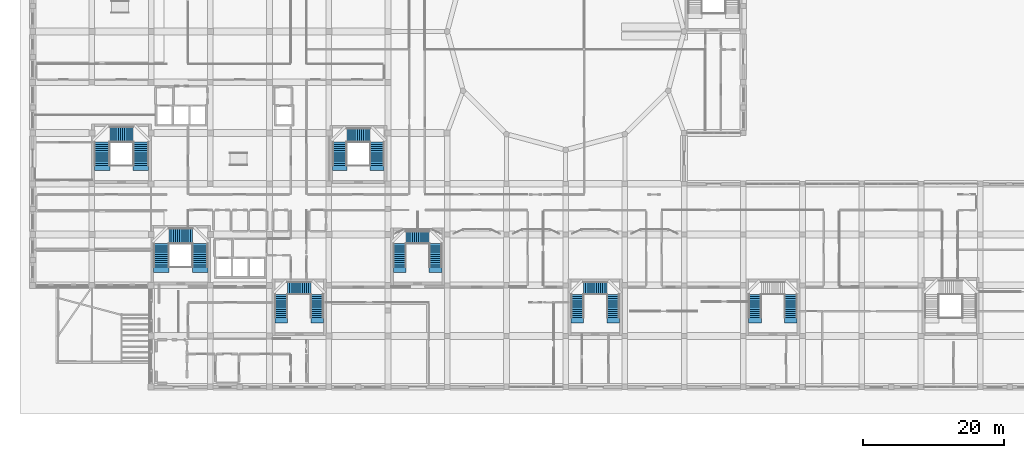
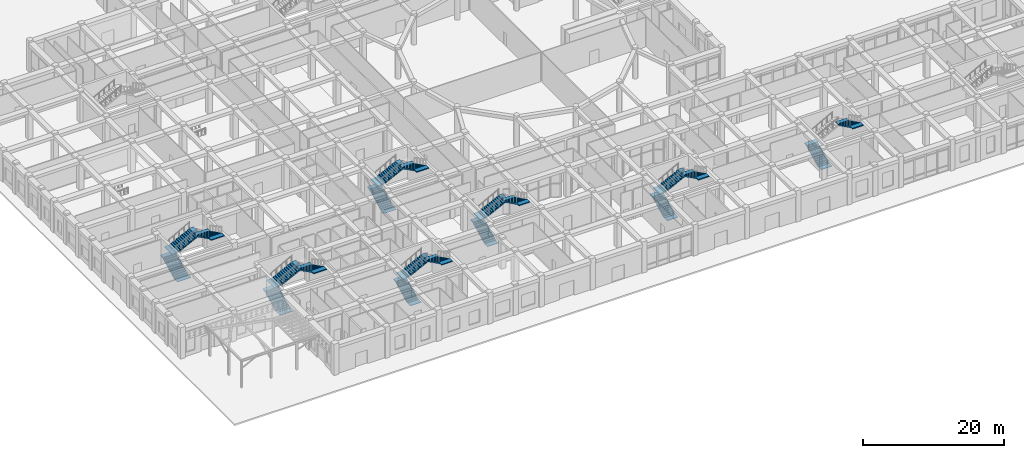
# One storey, part 77 of 84: 20 stair flights, 7 elements without a shape of their own.
"""IFC4 building model written with IfcOpenShell, lengths in metres."""

from ifc_helpers import new_model, si_unit, derived_unit, direction, frame, origin, place, context, subcontext, project, spatial, polyline, outline, extrude, material, type_object, element, aggregate, save


model = new_model("IFC4")

# Units and contexts
model_context = context("Model", 3, precision=1e-05, world=origin(), true_north=direction((0.0, 1.0)))
body_context = subcontext(model_context, "Body", "Model", "MODEL_VIEW")
ifc_project = project(units=[si_unit("LENGTHUNIT", "METRE"), si_unit("AREAUNIT", "SQUARE_METRE"), si_unit("VOLUMEUNIT", "CUBIC_METRE"), si_unit("PLANEANGLEUNIT", "RADIAN"), si_unit("MASSUNIT", "GRAM", prefix="KILO"), derived_unit("THERMALTRANSMITTANCEUNIT", [(si_unit("POWERUNIT", "WATT"), 1), (si_unit("LENGTHUNIT", "METRE"), -2), (si_unit("THERMODYNAMICTEMPERATUREUNIT", "KELVIN"), -1)])], contexts=[model_context])

# Site, building, storey
site_placement = place(None, origin())
site = spatial("IfcSite", under=ifc_project, at=site_placement, CompositionType="ELEMENT")
building_placement = place(site_placement, origin())
building = spatial("IfcBuilding", under=site, at=building_placement, Name="Veybourne Emporium", CompositionType="ELEMENT")
storey_placement = place(building_placement, origin())
storey = spatial("IfcBuildingStorey", under=building, at=storey_placement, Name="L00", CompositionType="ELEMENT", Elevation=0.0)

# Stair, stair flights
ifc_material = material(Name="Concrete C32/40", Category="concrete")
stair_type_1 = type_object("IfcStairType", Name="Stair_ST-09-R36", PredefinedType="HALF_TURN_STAIR", material=ifc_material)
stair_1_placement = place(storey_placement, origin())
stair_1 = element("IfcStair", 1, at=stair_1_placement, inside=storey, type_object=stair_type_1, Name="L00 stair ST-09", PredefinedType="HALF_TURN_STAIR")
stair_flight_type_1 = type_object("IfcStairFlightType", Name="Flight_FL-1800-R12", PredefinedType="STRAIGHT", material=ifc_material)
stair_flight_1_placement = place(storey_placement, frame((52.050048828125, 17.0, 0.0), z_axis=(0.0, 0.0, 1.0), x_axis=(0.0, 1.0, 0.0)))
stair_flight_1 = element("IfcStairFlight", 2, at=stair_flight_1_placement, type_object=stair_flight_type_1, Name="ST-09-R36 flight 1", NumberOfRisers=12, NumberOfTreads=11, PredefinedType="STRAIGHT", RiserHeight=0.15, TreadLength=0.3, context=body_context, shape_type="SweptSolid", body=[
    extrude(outline(polyline([(-0.75, 0.0), (-0.75, 0.080078125), (-0.375, 0.080078125), (0.0, 0.080078125), (0.0, 0.14990234375), (0.300048828125, 0.14990234375), (0.300048828125, 0.300048828125), (0.60009765625, 0.300048828125), (0.60009765625, 0.449951171875), (0.89990234375, 0.449951171875), (0.89990234375, 0.60009765625), (1.199951171875, 0.60009765625), (1.199951171875, 0.75), (1.5, 0.75), (1.5, 0.89990234375), (1.800048828125, 0.89990234375), (1.800048828125, 1.050048828125), (2.10009765625, 1.050048828125), (2.10009765625, 1.199951171875), (2.39990234375, 1.199951171875), (2.39990234375, 1.35009765625), (2.699951171875, 1.35009765625), (2.699951171875, 1.5), (3.0, 1.5), (3.0, 1.64990234375), (3.300048828125, 1.64990234375), (3.300048828125, 1.800048828125), (3.675048828125, 1.800048828125), (4.050048828125, 1.800048828125), (4.050048828125, 1.639892578125), (3.675048828125, 1.639892578125), (3.300048828125, 1.47119140625), (0.357666015625, 0.0), (-0.75, 0.0)])), frame((0.0, 0.89990234375, 0.0), z_axis=(0.0, -1.0, 0.0), x_axis=(1.0, 0.0, 0.0)), (0.0, 0.0, 1.0), 1.800048828125),
])
stair_flight_2_placement = place(storey_placement, frame((52.949951171875, 21.199951171875, 1.800048828125), z_axis=(0.0, 0.0, 1.0), x_axis=(1.0, 0.0, 0.0)))
stair_flight_2 = element("IfcStairFlight", 3, at=stair_flight_2_placement, type_object=stair_flight_type_1, Name="ST-09-R36 flight 2", NumberOfRisers=12, NumberOfTreads=11, PredefinedType="STRAIGHT", RiserHeight=0.15, TreadLength=0.3, context=body_context, shape_type="SweptSolid", body=[
    extrude(outline(polyline([(-0.75, 0.0), (-0.75, 0.080078125), (-0.375, 0.080078125), (0.0, 0.080078125), (0.0, 0.14990234375), (0.300048828125, 0.14990234375), (0.300048828125, 0.300048828125), (0.60009765625, 0.300048828125), (0.60009765625, 0.449951171875), (0.89990234375, 0.449951171875), (0.89990234375, 0.60009765625), (1.199951171875, 0.60009765625), (1.199951171875, 0.75), (1.5, 0.75), (1.5, 0.89990234375), (1.800048828125, 0.89990234375), (1.800048828125, 1.050048828125), (2.10009765625, 1.050048828125), (2.10009765625, 1.199951171875), (2.39990234375, 1.199951171875), (2.39990234375, 1.35009765625), (2.699951171875, 1.35009765625), (2.699951171875, 1.5), (3.0, 1.5), (3.0, 1.64990234375), (3.300048828125, 1.64990234375), (3.300048828125, 1.800048828125), (3.675048828125, 1.800048828125), (4.050048828125, 1.800048828125), (4.050048828125, 1.639892578125), (3.675048828125, 1.639892578125), (3.300048828125, 1.47119140625), (0.357666015625, 0.0), (-0.75, 0.0)])), frame((0.0, 0.89990234375, 0.0), z_axis=(0.0, -1.0, 0.0), x_axis=(1.0, 0.0, 0.0)), (0.0, 0.0, 1.0), 1.800048828125),
])
stair_flight_3_placement = place(storey_placement, frame((57.14990234375, 20.300048828125, 3.60009765625), z_axis=(0.0, 0.0, 1.0), x_axis=(0.0, -1.0, 0.0)))
stair_flight_3 = element("IfcStairFlight", 4, at=stair_flight_3_placement, type_object=stair_flight_type_1, Name="ST-09-R36 flight 3", NumberOfRisers=12, NumberOfTreads=11, PredefinedType="STRAIGHT", RiserHeight=0.15, TreadLength=0.3, context=body_context, shape_type="SweptSolid", body=[
    extrude(outline(polyline([(-0.75, 0.0), (-0.75, 0.080078125), (-0.375, 0.080078125), (0.0, 0.080078125), (0.0, 0.14990234375), (0.300048828125, 0.14990234375), (0.300048828125, 0.300048828125), (0.60009765625, 0.300048828125), (0.60009765625, 0.449951171875), (0.89990234375, 0.449951171875), (0.89990234375, 0.60009765625), (1.199951171875, 0.60009765625), (1.199951171875, 0.75), (1.5, 0.75), (1.5, 0.89990234375), (1.800048828125, 0.89990234375), (1.800048828125, 1.050048828125), (2.10009765625, 1.050048828125), (2.10009765625, 1.199951171875), (2.39990234375, 1.199951171875), (2.39990234375, 1.35009765625), (2.699951171875, 1.35009765625), (2.699951171875, 1.5), (3.0, 1.5), (3.0, 1.64990234375), (3.300048828125, 1.64990234375), (3.300048828125, 1.800048828125), (3.675048828125, 1.800048828125), (4.050048828125, 1.800048828125), (4.050048828125, 1.639892578125), (3.675048828125, 1.639892578125), (3.300048828125, 1.47119140625), (0.357666015625, 0.0), (-0.75, 0.0)])), frame((0.0, 0.89990234375, 0.0), z_axis=(0.0, -1.0, 0.0), x_axis=(1.0, 0.0, 0.0)), (0.0, 0.0, 1.0), 1.800048828125),
])
aggregate(stair_1, [stair_flight_1, stair_flight_2, stair_flight_3])

stair_type_2 = type_object("IfcStairType", Name="Stair_ST-10-R36", PredefinedType="HALF_TURN_STAIR", material=ifc_material)
stair_2_placement = place(storey_placement, origin())
stair_2 = element("IfcStair", 5, at=stair_2_placement, inside=storey, type_object=stair_type_2, Name="L00 stair ST-10", PredefinedType="HALF_TURN_STAIR")
stair_flight_4_placement = place(storey_placement, frame((77.25, 9.800048828125, 0.0), z_axis=(0.0, 0.0, 1.0), x_axis=(0.0, 1.0, 0.0)))
stair_flight_4 = element("IfcStairFlight", 6, at=stair_flight_4_placement, type_object=stair_flight_type_1, Name="ST-10-R36 flight 1", NumberOfRisers=12, NumberOfTreads=11, PredefinedType="STRAIGHT", RiserHeight=0.15, TreadLength=0.3, context=body_context, shape_type="SweptSolid", body=[
    extrude(outline(polyline([(-0.75, 0.0), (-0.75, 0.080078125), (-0.375, 0.080078125), (0.0, 0.080078125), (0.0, 0.14990234375), (0.300048828125, 0.14990234375), (0.300048828125, 0.300048828125), (0.60009765625, 0.300048828125), (0.60009765625, 0.449951171875), (0.89990234375, 0.449951171875), (0.89990234375, 0.60009765625), (1.199951171875, 0.60009765625), (1.199951171875, 0.75), (1.5, 0.75), (1.5, 0.89990234375), (1.800048828125, 0.89990234375), (1.800048828125, 1.050048828125), (2.10009765625, 1.050048828125), (2.10009765625, 1.199951171875), (2.39990234375, 1.199951171875), (2.39990234375, 1.35009765625), (2.699951171875, 1.35009765625), (2.699951171875, 1.5), (3.0, 1.5), (3.0, 1.64990234375), (3.300048828125, 1.64990234375), (3.300048828125, 1.800048828125), (3.675048828125, 1.800048828125), (4.050048828125, 1.800048828125), (4.050048828125, 1.639892578125), (3.675048828125, 1.639892578125), (3.300048828125, 1.47119140625), (0.357666015625, 0.0), (-0.75, 0.0)])), frame((0.0, 0.89990234375, 0.0), z_axis=(0.0, -1.0, 0.0), x_axis=(1.0, 0.0, 0.0)), (0.0, 0.0, 1.0), 1.800048828125),
])
stair_flight_5_placement = place(storey_placement, frame((78.14990234375, 14.0, 1.800048828125), z_axis=(0.0, 0.0, 1.0), x_axis=(1.0, 0.0, 0.0)))
stair_flight_5 = element("IfcStairFlight", 7, at=stair_flight_5_placement, type_object=stair_flight_type_1, Name="ST-10-R36 flight 2", NumberOfRisers=12, NumberOfTreads=11, PredefinedType="STRAIGHT", RiserHeight=0.15, TreadLength=0.3, context=body_context, shape_type="SweptSolid", body=[
    extrude(outline(polyline([(-0.75, 0.0), (-0.75, 0.080078125), (-0.375, 0.080078125), (0.0, 0.080078125), (0.0, 0.14990234375), (0.300048828125, 0.14990234375), (0.300048828125, 0.300048828125), (0.60009765625, 0.300048828125), (0.60009765625, 0.449951171875), (0.89990234375, 0.449951171875), (0.89990234375, 0.60009765625), (1.199951171875, 0.60009765625), (1.199951171875, 0.75), (1.5, 0.75), (1.5, 0.89990234375), (1.800048828125, 0.89990234375), (1.800048828125, 1.050048828125), (2.10009765625, 1.050048828125), (2.10009765625, 1.199951171875), (2.39990234375, 1.199951171875), (2.39990234375, 1.35009765625), (2.699951171875, 1.35009765625), (2.699951171875, 1.5), (3.0, 1.5), (3.0, 1.64990234375), (3.300048828125, 1.64990234375), (3.300048828125, 1.800048828125), (3.675048828125, 1.800048828125), (4.050048828125, 1.800048828125), (4.050048828125, 1.639892578125), (3.675048828125, 1.639892578125), (3.300048828125, 1.47119140625), (0.357666015625, 0.0), (-0.75, 0.0)])), frame((0.0, 0.89990234375, 0.0), z_axis=(0.0, -1.0, 0.0), x_axis=(1.0, 0.0, 0.0)), (0.0, 0.0, 1.0), 1.800048828125),
])
stair_flight_6_placement = place(storey_placement, frame((82.35009765625, 13.10009765625, 3.60009765625), z_axis=(0.0, 0.0, 1.0), x_axis=(0.0, -1.0, 0.0)))
stair_flight_6 = element("IfcStairFlight", 8, at=stair_flight_6_placement, type_object=stair_flight_type_1, Name="ST-10-R36 flight 3", NumberOfRisers=12, NumberOfTreads=11, PredefinedType="STRAIGHT", RiserHeight=0.15, TreadLength=0.3, context=body_context, shape_type="SweptSolid", body=[
    extrude(outline(polyline([(-0.75, 0.0), (-0.75, 0.080078125), (-0.375, 0.080078125), (0.0, 0.080078125), (0.0, 0.14990234375), (0.300048828125, 0.14990234375), (0.300048828125, 0.300048828125), (0.60009765625, 0.300048828125), (0.60009765625, 0.449951171875), (0.89990234375, 0.449951171875), (0.89990234375, 0.60009765625), (1.199951171875, 0.60009765625), (1.199951171875, 0.75), (1.5, 0.75), (1.5, 0.89990234375), (1.800048828125, 0.89990234375), (1.800048828125, 1.050048828125), (2.10009765625, 1.050048828125), (2.10009765625, 1.199951171875), (2.39990234375, 1.199951171875), (2.39990234375, 1.35009765625), (2.699951171875, 1.35009765625), (2.699951171875, 1.5), (3.0, 1.5), (3.0, 1.64990234375), (3.300048828125, 1.64990234375), (3.300048828125, 1.800048828125), (3.675048828125, 1.800048828125), (4.050048828125, 1.800048828125), (4.050048828125, 1.639892578125), (3.675048828125, 1.639892578125), (3.300048828125, 1.47119140625), (0.357666015625, 0.0), (-0.75, 0.0)])), frame((0.0, 0.89990234375, 0.0), z_axis=(0.0, -1.0, 0.0), x_axis=(1.0, 0.0, 0.0)), (0.0, 0.0, 1.0), 1.800048828125),
])
aggregate(stair_2, [stair_flight_4, stair_flight_5, stair_flight_6])

stair_type_3 = type_object("IfcStairType", Name="Stair_ST-11-R36", PredefinedType="HALF_TURN_STAIR", material=ifc_material)
stair_3_placement = place(storey_placement, origin())
stair_3 = element("IfcStair", 9, at=stair_3_placement, inside=storey, type_object=stair_type_3, Name="L00 stair ST-11", PredefinedType="HALF_TURN_STAIR")
stair_flight_7_placement = place(storey_placement, frame((102.449951171875, 9.800048828125, 0.0), z_axis=(0.0, 0.0, 1.0), x_axis=(0.0, 1.0, 0.0)))
stair_flight_7 = element("IfcStairFlight", 10, at=stair_flight_7_placement, type_object=stair_flight_type_1, Name="ST-11-R36 flight 1", NumberOfRisers=12, NumberOfTreads=11, PredefinedType="STRAIGHT", RiserHeight=0.15, TreadLength=0.3, context=body_context, shape_type="SweptSolid", body=[
    extrude(outline(polyline([(-0.75, 0.0), (-0.75, 0.080078125), (-0.375, 0.080078125), (0.0, 0.080078125), (0.0, 0.14990234375), (0.300048828125, 0.14990234375), (0.300048828125, 0.300048828125), (0.60009765625, 0.300048828125), (0.60009765625, 0.449951171875), (0.89990234375, 0.449951171875), (0.89990234375, 0.60009765625), (1.199951171875, 0.60009765625), (1.199951171875, 0.75), (1.5, 0.75), (1.5, 0.89990234375), (1.800048828125, 0.89990234375), (1.800048828125, 1.050048828125), (2.10009765625, 1.050048828125), (2.10009765625, 1.199951171875), (2.39990234375, 1.199951171875), (2.39990234375, 1.35009765625), (2.699951171875, 1.35009765625), (2.699951171875, 1.5), (3.0, 1.5), (3.0, 1.64990234375), (3.300048828125, 1.64990234375), (3.300048828125, 1.800048828125), (3.675048828125, 1.800048828125), (4.050048828125, 1.800048828125), (4.050048828125, 1.639892578125), (3.675048828125, 1.639892578125), (3.300048828125, 1.47119140625), (0.357666015625, 0.0), (-0.75, 0.0)])), frame((0.0, 0.89990234375, 0.0), z_axis=(0.0, -1.0, 0.0), x_axis=(1.0, 0.0, 0.0)), (0.0, 0.0, 1.0), 1.800048828125),
])
stair_flight_8_placement = place(storey_placement, frame((107.550048828125, 13.10009765625, 3.60009765625), z_axis=(0.0, 0.0, 1.0), x_axis=(0.0, -1.0, 0.0)))
stair_flight_8 = element("IfcStairFlight", 11, at=stair_flight_8_placement, type_object=stair_flight_type_1, Name="ST-11-R36 flight 3", NumberOfRisers=12, NumberOfTreads=11, PredefinedType="STRAIGHT", RiserHeight=0.15, TreadLength=0.3, context=body_context, shape_type="SweptSolid", body=[
    extrude(outline(polyline([(-0.75, 0.0), (-0.75, 0.080078125), (-0.375, 0.080078125), (0.0, 0.080078125), (0.0, 0.14990234375), (0.300048828125, 0.14990234375), (0.300048828125, 0.300048828125), (0.60009765625, 0.300048828125), (0.60009765625, 0.449951171875), (0.89990234375, 0.449951171875), (0.89990234375, 0.60009765625), (1.199951171875, 0.60009765625), (1.199951171875, 0.75), (1.5, 0.75), (1.5, 0.89990234375), (1.800048828125, 0.89990234375), (1.800048828125, 1.050048828125), (2.10009765625, 1.050048828125), (2.10009765625, 1.199951171875), (2.39990234375, 1.199951171875), (2.39990234375, 1.35009765625), (2.699951171875, 1.35009765625), (2.699951171875, 1.5), (3.0, 1.5), (3.0, 1.64990234375), (3.300048828125, 1.64990234375), (3.300048828125, 1.800048828125), (3.675048828125, 1.800048828125), (4.050048828125, 1.800048828125), (4.050048828125, 1.639892578125), (3.675048828125, 1.639892578125), (3.300048828125, 1.47119140625), (0.357666015625, 0.0), (-0.75, 0.0)])), frame((0.0, 0.89990234375, 0.0), z_axis=(0.0, -1.0, 0.0), x_axis=(1.0, 0.0, 0.0)), (0.0, 0.0, 1.0), 1.800048828125),
])
aggregate(stair_3, [stair_flight_7, stair_flight_8])

stair_type_4 = type_object("IfcStairType", Name="Stair_ST-12-R36", PredefinedType="HALF_TURN_STAIR", material=ifc_material)
stair_4_placement = place(storey_placement, origin())
stair_4 = element("IfcStair", 12, at=stair_4_placement, inside=storey, type_object=stair_type_4, Name="L00 stair ST-12", PredefinedType="HALF_TURN_STAIR")
stair_flight_9_placement = place(storey_placement, frame((35.25, 9.800048828125, 0.0), z_axis=(0.0, 0.0, 1.0), x_axis=(0.0, 1.0, 0.0)))
stair_flight_9 = element("IfcStairFlight", 13, at=stair_flight_9_placement, type_object=stair_flight_type_1, Name="ST-12-R36 flight 1", NumberOfRisers=12, NumberOfTreads=11, PredefinedType="STRAIGHT", RiserHeight=0.15, TreadLength=0.3, context=body_context, shape_type="SweptSolid", body=[
    extrude(outline(polyline([(-0.75, 0.0), (-0.75, 0.080078125), (-0.375, 0.080078125), (0.0, 0.080078125), (0.0, 0.14990234375), (0.300048828125, 0.14990234375), (0.300048828125, 0.300048828125), (0.60009765625, 0.300048828125), (0.60009765625, 0.449951171875), (0.89990234375, 0.449951171875), (0.89990234375, 0.60009765625), (1.199951171875, 0.60009765625), (1.199951171875, 0.75), (1.5, 0.75), (1.5, 0.89990234375), (1.800048828125, 0.89990234375), (1.800048828125, 1.050048828125), (2.10009765625, 1.050048828125), (2.10009765625, 1.199951171875), (2.39990234375, 1.199951171875), (2.39990234375, 1.35009765625), (2.699951171875, 1.35009765625), (2.699951171875, 1.5), (3.0, 1.5), (3.0, 1.64990234375), (3.300048828125, 1.64990234375), (3.300048828125, 1.800048828125), (3.675048828125, 1.800048828125), (4.050048828125, 1.800048828125), (4.050048828125, 1.639892578125), (3.675048828125, 1.639892578125), (3.300048828125, 1.47119140625), (0.357666015625, 0.0), (-0.75, 0.0)])), frame((0.0, 0.89990234375, 0.0), z_axis=(0.0, -1.0, 0.0), x_axis=(1.0, 0.0, 0.0)), (0.0, 0.0, 1.0), 1.800048828125),
])
stair_flight_10_placement = place(storey_placement, frame((36.14990234375, 14.0, 1.800048828125), z_axis=(0.0, 0.0, 1.0), x_axis=(1.0, 0.0, 0.0)))
stair_flight_10 = element("IfcStairFlight", 14, at=stair_flight_10_placement, type_object=stair_flight_type_1, Name="ST-12-R36 flight 2", NumberOfRisers=12, NumberOfTreads=11, PredefinedType="STRAIGHT", RiserHeight=0.15, TreadLength=0.3, context=body_context, shape_type="SweptSolid", body=[
    extrude(outline(polyline([(-0.75, 0.0), (-0.75, 0.080078125), (-0.375, 0.080078125), (0.0, 0.080078125), (0.0, 0.14990234375), (0.300048828125, 0.14990234375), (0.300048828125, 0.300048828125), (0.60009765625, 0.300048828125), (0.60009765625, 0.449951171875), (0.89990234375, 0.449951171875), (0.89990234375, 0.60009765625), (1.199951171875, 0.60009765625), (1.199951171875, 0.75), (1.5, 0.75), (1.5, 0.89990234375), (1.800048828125, 0.89990234375), (1.800048828125, 1.050048828125), (2.10009765625, 1.050048828125), (2.10009765625, 1.199951171875), (2.39990234375, 1.199951171875), (2.39990234375, 1.35009765625), (2.699951171875, 1.35009765625), (2.699951171875, 1.5), (3.0, 1.5), (3.0, 1.64990234375), (3.300048828125, 1.64990234375), (3.300048828125, 1.800048828125), (3.675048828125, 1.800048828125), (4.050048828125, 1.800048828125), (4.050048828125, 1.639892578125), (3.675048828125, 1.639892578125), (3.300048828125, 1.47119140625), (0.357666015625, 0.0), (-0.75, 0.0)])), frame((0.0, 0.89990234375, 0.0), z_axis=(0.0, -1.0, 0.0), x_axis=(1.0, 0.0, 0.0)), (0.0, 0.0, 1.0), 1.800048828125),
])
stair_flight_11_placement = place(storey_placement, frame((40.35009765625, 13.10009765625, 3.60009765625), z_axis=(0.0, 0.0, 1.0), x_axis=(0.0, -1.0, 0.0)))
stair_flight_11 = element("IfcStairFlight", 15, at=stair_flight_11_placement, type_object=stair_flight_type_1, Name="ST-12-R36 flight 3", NumberOfRisers=12, NumberOfTreads=11, PredefinedType="STRAIGHT", RiserHeight=0.15, TreadLength=0.3, context=body_context, shape_type="SweptSolid", body=[
    extrude(outline(polyline([(-0.75, 0.0), (-0.75, 0.080078125), (-0.375, 0.080078125), (0.0, 0.080078125), (0.0, 0.14990234375), (0.300048828125, 0.14990234375), (0.300048828125, 0.300048828125), (0.60009765625, 0.300048828125), (0.60009765625, 0.449951171875), (0.89990234375, 0.449951171875), (0.89990234375, 0.60009765625), (1.199951171875, 0.60009765625), (1.199951171875, 0.75), (1.5, 0.75), (1.5, 0.89990234375), (1.800048828125, 0.89990234375), (1.800048828125, 1.050048828125), (2.10009765625, 1.050048828125), (2.10009765625, 1.199951171875), (2.39990234375, 1.199951171875), (2.39990234375, 1.35009765625), (2.699951171875, 1.35009765625), (2.699951171875, 1.5), (3.0, 1.5), (3.0, 1.64990234375), (3.300048828125, 1.64990234375), (3.300048828125, 1.800048828125), (3.675048828125, 1.800048828125), (4.050048828125, 1.800048828125), (4.050048828125, 1.639892578125), (3.675048828125, 1.639892578125), (3.300048828125, 1.47119140625), (0.357666015625, 0.0), (-0.75, 0.0)])), frame((0.0, 0.89990234375, 0.0), z_axis=(0.0, -1.0, 0.0), x_axis=(1.0, 0.0, 0.0)), (0.0, 0.0, 1.0), 1.800048828125),
])
aggregate(stair_4, [stair_flight_9, stair_flight_10, stair_flight_11])

stair_type_5 = type_object("IfcStairType", Name="Stair_ST-05-R36", PredefinedType="TWO_QUARTER_TURN_STAIR", material=ifc_material)
stair_5_placement = place(storey_placement, origin())
stair_5 = element("IfcStair", 16, at=stair_5_placement, inside=storey, type_object=stair_type_5, Name="L00 stair ST-05", PredefinedType="TWO_QUARTER_TURN_STAIR")
stair_flight_type_2 = type_object("IfcStairFlightType", Name="Flight_FL-2000-R12", PredefinedType="STRAIGHT", material=ifc_material)
stair_flight_12_placement = place(storey_placement, frame((43.550048828125, 31.39990234375, 0.0), z_axis=(0.0, 0.0, 1.0), x_axis=(0.0, 1.0, 0.0)))
stair_flight_12 = element("IfcStairFlight", 17, at=stair_flight_12_placement, type_object=stair_flight_type_2, Name="ST-05-R36 flight 1", NumberOfRisers=12, NumberOfTreads=11, PredefinedType="STRAIGHT", RiserHeight=0.15, TreadLength=0.3, context=body_context, shape_type="SweptSolid", body=[
    extrude(outline(polyline([(-0.75, 0.0), (-0.75, 0.080078125), (-0.375, 0.080078125), (0.0, 0.080078125), (0.0, 0.14990234375), (0.300048828125, 0.14990234375), (0.300048828125, 0.300048828125), (0.60009765625, 0.300048828125), (0.60009765625, 0.449951171875), (0.89990234375, 0.449951171875), (0.89990234375, 0.60009765625), (1.199951171875, 0.60009765625), (1.199951171875, 0.75), (1.5, 0.75), (1.5, 0.89990234375), (1.800048828125, 0.89990234375), (1.800048828125, 1.050048828125), (2.10009765625, 1.050048828125), (2.10009765625, 1.199951171875), (2.39990234375, 1.199951171875), (2.39990234375, 1.35009765625), (2.699951171875, 1.35009765625), (2.699951171875, 1.5), (3.0, 1.5), (3.0, 1.64990234375), (3.300048828125, 1.64990234375), (3.300048828125, 1.800048828125), (3.675048828125, 1.800048828125), (4.050048828125, 1.800048828125), (4.050048828125, 1.639892578125), (3.675048828125, 1.639892578125), (3.300048828125, 1.47119140625), (0.357666015625, 0.0), (-0.75, 0.0)])), frame((0.0, 1.0, 0.0), z_axis=(0.0, -1.0, 0.0), x_axis=(1.0, 0.0, 0.0)), (0.0, 0.0, 1.0), 2.0),
])
stair_flight_13_placement = place(storey_placement, frame((44.550048828125, 35.699951171875, 1.800048828125), z_axis=(0.0, 0.0, 1.0), x_axis=(1.0, 0.0, 0.0)))
stair_flight_13 = element("IfcStairFlight", 18, at=stair_flight_13_placement, type_object=stair_flight_type_2, Name="ST-05-R36 flight 2", NumberOfRisers=12, NumberOfTreads=11, PredefinedType="STRAIGHT", RiserHeight=0.15, TreadLength=0.3, context=body_context, shape_type="SweptSolid", body=[
    extrude(outline(polyline([(-0.75, 0.0), (-0.75, 0.080078125), (-0.375, 0.080078125), (0.0, 0.080078125), (0.0, 0.14990234375), (0.300048828125, 0.14990234375), (0.300048828125, 0.300048828125), (0.60009765625, 0.300048828125), (0.60009765625, 0.449951171875), (0.89990234375, 0.449951171875), (0.89990234375, 0.60009765625), (1.199951171875, 0.60009765625), (1.199951171875, 0.75), (1.5, 0.75), (1.5, 0.89990234375), (1.800048828125, 0.89990234375), (1.800048828125, 1.050048828125), (2.10009765625, 1.050048828125), (2.10009765625, 1.199951171875), (2.39990234375, 1.199951171875), (2.39990234375, 1.35009765625), (2.699951171875, 1.35009765625), (2.699951171875, 1.5), (3.0, 1.5), (3.0, 1.64990234375), (3.300048828125, 1.64990234375), (3.300048828125, 1.800048828125), (3.675048828125, 1.800048828125), (4.050048828125, 1.800048828125), (4.050048828125, 1.639892578125), (3.675048828125, 1.639892578125), (3.300048828125, 1.47119140625), (0.357666015625, 0.0), (-0.75, 0.0)])), frame((0.0, 1.0, 0.0), z_axis=(0.0, -1.0, 0.0), x_axis=(1.0, 0.0, 0.0)), (0.0, 0.0, 1.0), 2.0),
])
stair_flight_14_placement = place(storey_placement, frame((48.85009765625, 34.699951171875, 3.60009765625), z_axis=(0.0, 0.0, 1.0), x_axis=(0.0, -1.0, 0.0)))
stair_flight_14 = element("IfcStairFlight", 19, at=stair_flight_14_placement, type_object=stair_flight_type_2, Name="ST-05-R36 flight 3", NumberOfRisers=12, NumberOfTreads=11, PredefinedType="STRAIGHT", RiserHeight=0.15, TreadLength=0.3, context=body_context, shape_type="SweptSolid", body=[
    extrude(outline(polyline([(-0.75, 0.0), (-0.75, 0.080078125), (-0.375, 0.080078125), (0.0, 0.080078125), (0.0, 0.14990234375), (0.300048828125, 0.14990234375), (0.300048828125, 0.300048828125), (0.60009765625, 0.300048828125), (0.60009765625, 0.449951171875), (0.89990234375, 0.449951171875), (0.89990234375, 0.60009765625), (1.199951171875, 0.60009765625), (1.199951171875, 0.75), (1.5, 0.75), (1.5, 0.89990234375), (1.800048828125, 0.89990234375), (1.800048828125, 1.050048828125), (2.10009765625, 1.050048828125), (2.10009765625, 1.199951171875), (2.39990234375, 1.199951171875), (2.39990234375, 1.35009765625), (2.699951171875, 1.35009765625), (2.699951171875, 1.5), (3.0, 1.5), (3.0, 1.64990234375), (3.300048828125, 1.64990234375), (3.300048828125, 1.800048828125), (3.675048828125, 1.800048828125), (4.050048828125, 1.800048828125), (4.050048828125, 1.639892578125), (3.675048828125, 1.639892578125), (3.300048828125, 1.47119140625), (0.357666015625, 0.0), (-0.75, 0.0)])), frame((0.0, 1.0, 0.0), z_axis=(0.0, -1.0, 0.0), x_axis=(1.0, 0.0, 0.0)), (0.0, 0.0, 1.0), 2.0),
])
aggregate(stair_5, [stair_flight_12, stair_flight_13, stair_flight_14])

stair_type_6 = type_object("IfcStairType", Name="Stair_ST-01-R36", PredefinedType="TWO_QUARTER_TURN_STAIR", material=ifc_material)
stair_6_placement = place(storey_placement, origin())
stair_6 = element("IfcStair", 20, at=stair_6_placement, inside=storey, type_object=stair_type_6, Name="L00 stair ST-01", PredefinedType="TWO_QUARTER_TURN_STAIR")
stair_flight_type_3 = type_object("IfcStairFlightType", Name="Flight_FL-2200-R12", PredefinedType="STRAIGHT", material=ifc_material)
stair_flight_15_placement = place(storey_placement, frame((18.25, 17.0, 0.0), z_axis=(0.0, 0.0, 1.0), x_axis=(0.0, 1.0, 0.0)))
stair_flight_15 = element("IfcStairFlight", 21, at=stair_flight_15_placement, type_object=stair_flight_type_3, Name="ST-01-R36 flight 1", NumberOfRisers=12, NumberOfTreads=11, PredefinedType="STRAIGHT", RiserHeight=0.15, TreadLength=0.3, context=body_context, shape_type="SweptSolid", body=[
    extrude(outline(polyline([(-0.75, 0.0), (-0.75, 0.080078125), (-0.375, 0.080078125), (0.0, 0.080078125), (0.0, 0.14990234375), (0.300048828125, 0.14990234375), (0.300048828125, 0.300048828125), (0.60009765625, 0.300048828125), (0.60009765625, 0.449951171875), (0.89990234375, 0.449951171875), (0.89990234375, 0.60009765625), (1.199951171875, 0.60009765625), (1.199951171875, 0.75), (1.5, 0.75), (1.5, 0.89990234375), (1.800048828125, 0.89990234375), (1.800048828125, 1.050048828125), (2.10009765625, 1.050048828125), (2.10009765625, 1.199951171875), (2.39990234375, 1.199951171875), (2.39990234375, 1.35009765625), (2.699951171875, 1.35009765625), (2.699951171875, 1.5), (3.0, 1.5), (3.0, 1.64990234375), (3.300048828125, 1.64990234375), (3.300048828125, 1.800048828125), (3.675048828125, 1.800048828125), (4.050048828125, 1.800048828125), (4.050048828125, 1.639892578125), (3.675048828125, 1.639892578125), (3.300048828125, 1.47119140625), (0.357666015625, 0.0), (-0.75, 0.0)])), frame((0.0, 1.10009765625, 0.0), z_axis=(0.0, -1.0, 0.0), x_axis=(1.0, 0.0, 0.0)), (0.0, 0.0, 1.0), 2.199951171875),
])
stair_flight_16_placement = place(storey_placement, frame((19.35009765625, 21.39990234375, 1.800048828125), z_axis=(0.0, 0.0, 1.0), x_axis=(1.0, 0.0, 0.0)))
stair_flight_16 = element("IfcStairFlight", 22, at=stair_flight_16_placement, type_object=stair_flight_type_3, Name="ST-01-R36 flight 2", NumberOfRisers=12, NumberOfTreads=11, PredefinedType="STRAIGHT", RiserHeight=0.15, TreadLength=0.3, context=body_context, shape_type="SweptSolid", body=[
    extrude(outline(polyline([(-0.75, 0.0), (-0.75, 0.080078125), (-0.375, 0.080078125), (0.0, 0.080078125), (0.0, 0.14990234375), (0.300048828125, 0.14990234375), (0.300048828125, 0.300048828125), (0.60009765625, 0.300048828125), (0.60009765625, 0.449951171875), (0.89990234375, 0.449951171875), (0.89990234375, 0.60009765625), (1.199951171875, 0.60009765625), (1.199951171875, 0.75), (1.5, 0.75), (1.5, 0.89990234375), (1.800048828125, 0.89990234375), (1.800048828125, 1.050048828125), (2.10009765625, 1.050048828125), (2.10009765625, 1.199951171875), (2.39990234375, 1.199951171875), (2.39990234375, 1.35009765625), (2.699951171875, 1.35009765625), (2.699951171875, 1.5), (3.0, 1.5), (3.0, 1.64990234375), (3.300048828125, 1.64990234375), (3.300048828125, 1.800048828125), (3.675048828125, 1.800048828125), (4.050048828125, 1.800048828125), (4.050048828125, 1.639892578125), (3.675048828125, 1.639892578125), (3.300048828125, 1.47119140625), (0.357666015625, 0.0), (-0.75, 0.0)])), frame((0.0, 1.10009765625, 0.0), z_axis=(0.0, -1.0, 0.0), x_axis=(1.0, 0.0, 0.0)), (0.0, 0.0, 1.0), 2.199951171875),
])
stair_flight_17_placement = place(storey_placement, frame((23.75, 20.300048828125, 3.60009765625), z_axis=(0.0, 0.0, 1.0), x_axis=(0.0, -1.0, 0.0)))
stair_flight_17 = element("IfcStairFlight", 23, at=stair_flight_17_placement, type_object=stair_flight_type_3, Name="ST-01-R36 flight 3", NumberOfRisers=12, NumberOfTreads=11, PredefinedType="STRAIGHT", RiserHeight=0.15, TreadLength=0.3, context=body_context, shape_type="SweptSolid", body=[
    extrude(outline(polyline([(-0.75, 0.0), (-0.75, 0.080078125), (-0.375, 0.080078125), (0.0, 0.080078125), (0.0, 0.14990234375), (0.300048828125, 0.14990234375), (0.300048828125, 0.300048828125), (0.60009765625, 0.300048828125), (0.60009765625, 0.449951171875), (0.89990234375, 0.449951171875), (0.89990234375, 0.60009765625), (1.199951171875, 0.60009765625), (1.199951171875, 0.75), (1.5, 0.75), (1.5, 0.89990234375), (1.800048828125, 0.89990234375), (1.800048828125, 1.050048828125), (2.10009765625, 1.050048828125), (2.10009765625, 1.199951171875), (2.39990234375, 1.199951171875), (2.39990234375, 1.35009765625), (2.699951171875, 1.35009765625), (2.699951171875, 1.5), (3.0, 1.5), (3.0, 1.64990234375), (3.300048828125, 1.64990234375), (3.300048828125, 1.800048828125), (3.675048828125, 1.800048828125), (4.050048828125, 1.800048828125), (4.050048828125, 1.639892578125), (3.675048828125, 1.639892578125), (3.300048828125, 1.47119140625), (0.357666015625, 0.0), (-0.75, 0.0)])), frame((0.0, 1.10009765625, 0.0), z_axis=(0.0, -1.0, 0.0), x_axis=(1.0, 0.0, 0.0)), (0.0, 0.0, 1.0), 2.199951171875),
])
aggregate(stair_6, [stair_flight_15, stair_flight_16, stair_flight_17])

stair_type_7 = type_object("IfcStairType", Name="Stair_ST-02-R36", PredefinedType="TWO_QUARTER_TURN_STAIR", material=ifc_material)
stair_7_placement = place(storey_placement, origin())
stair_7 = element("IfcStair", 24, at=stair_7_placement, inside=storey, type_object=stair_type_7, Name="L00 stair ST-02", PredefinedType="TWO_QUARTER_TURN_STAIR")
stair_flight_18_placement = place(storey_placement, frame((9.85009765625, 31.39990234375, 0.0), z_axis=(0.0, 0.0, 1.0), x_axis=(0.0, 1.0, 0.0)))
stair_flight_18 = element("IfcStairFlight", 25, at=stair_flight_18_placement, type_object=stair_flight_type_3, Name="ST-02-R36 flight 1", NumberOfRisers=12, NumberOfTreads=11, PredefinedType="STRAIGHT", RiserHeight=0.15, TreadLength=0.3, context=body_context, shape_type="SweptSolid", body=[
    extrude(outline(polyline([(-0.75, 0.0), (-0.75, 0.080078125), (-0.375, 0.080078125), (0.0, 0.080078125), (0.0, 0.14990234375), (0.300048828125, 0.14990234375), (0.300048828125, 0.300048828125), (0.60009765625, 0.300048828125), (0.60009765625, 0.449951171875), (0.89990234375, 0.449951171875), (0.89990234375, 0.60009765625), (1.199951171875, 0.60009765625), (1.199951171875, 0.75), (1.5, 0.75), (1.5, 0.89990234375), (1.800048828125, 0.89990234375), (1.800048828125, 1.050048828125), (2.10009765625, 1.050048828125), (2.10009765625, 1.199951171875), (2.39990234375, 1.199951171875), (2.39990234375, 1.35009765625), (2.699951171875, 1.35009765625), (2.699951171875, 1.5), (3.0, 1.5), (3.0, 1.64990234375), (3.300048828125, 1.64990234375), (3.300048828125, 1.800048828125), (3.675048828125, 1.800048828125), (4.050048828125, 1.800048828125), (4.050048828125, 1.639892578125), (3.675048828125, 1.639892578125), (3.300048828125, 1.47119140625), (0.357666015625, 0.0), (-0.75, 0.0)])), frame((0.0, 1.10009765625, 0.0), z_axis=(0.0, -1.0, 0.0), x_axis=(1.0, 0.0, 0.0)), (0.0, 0.0, 1.0), 2.199951171875),
])
stair_flight_19_placement = place(storey_placement, frame((10.949951171875, 35.800048828125, 1.800048828125), z_axis=(0.0, 0.0, 1.0), x_axis=(1.0, 0.0, 0.0)))
stair_flight_19 = element("IfcStairFlight", 26, at=stair_flight_19_placement, type_object=stair_flight_type_3, Name="ST-02-R36 flight 2", NumberOfRisers=12, NumberOfTreads=11, PredefinedType="STRAIGHT", RiserHeight=0.15, TreadLength=0.3, context=body_context, shape_type="SweptSolid", body=[
    extrude(outline(polyline([(-0.75, 0.0), (-0.75, 0.080078125), (-0.375, 0.080078125), (0.0, 0.080078125), (0.0, 0.14990234375), (0.300048828125, 0.14990234375), (0.300048828125, 0.300048828125), (0.60009765625, 0.300048828125), (0.60009765625, 0.449951171875), (0.89990234375, 0.449951171875), (0.89990234375, 0.60009765625), (1.199951171875, 0.60009765625), (1.199951171875, 0.75), (1.5, 0.75), (1.5, 0.89990234375), (1.800048828125, 0.89990234375), (1.800048828125, 1.050048828125), (2.10009765625, 1.050048828125), (2.10009765625, 1.199951171875), (2.39990234375, 1.199951171875), (2.39990234375, 1.35009765625), (2.699951171875, 1.35009765625), (2.699951171875, 1.5), (3.0, 1.5), (3.0, 1.64990234375), (3.300048828125, 1.64990234375), (3.300048828125, 1.800048828125), (3.675048828125, 1.800048828125), (4.050048828125, 1.800048828125), (4.050048828125, 1.639892578125), (3.675048828125, 1.639892578125), (3.300048828125, 1.47119140625), (0.357666015625, 0.0), (-0.75, 0.0)])), frame((0.0, 1.10009765625, 0.0), z_axis=(0.0, -1.0, 0.0), x_axis=(1.0, 0.0, 0.0)), (0.0, 0.0, 1.0), 2.199951171875),
])
stair_flight_20_placement = place(storey_placement, frame((15.35009765625, 34.699951171875, 3.60009765625), z_axis=(0.0, 0.0, 1.0), x_axis=(0.0, -1.0, 0.0)))
stair_flight_20 = element("IfcStairFlight", 27, at=stair_flight_20_placement, type_object=stair_flight_type_3, Name="ST-02-R36 flight 3", NumberOfRisers=12, NumberOfTreads=11, PredefinedType="STRAIGHT", RiserHeight=0.15, TreadLength=0.3, context=body_context, shape_type="SweptSolid", body=[
    extrude(outline(polyline([(-0.75, 0.0), (-0.75, 0.080078125), (-0.375, 0.080078125), (0.0, 0.080078125), (0.0, 0.14990234375), (0.300048828125, 0.14990234375), (0.300048828125, 0.300048828125), (0.60009765625, 0.300048828125), (0.60009765625, 0.449951171875), (0.89990234375, 0.449951171875), (0.89990234375, 0.60009765625), (1.199951171875, 0.60009765625), (1.199951171875, 0.75), (1.5, 0.75), (1.5, 0.89990234375), (1.800048828125, 0.89990234375), (1.800048828125, 1.050048828125), (2.10009765625, 1.050048828125), (2.10009765625, 1.199951171875), (2.39990234375, 1.199951171875), (2.39990234375, 1.35009765625), (2.699951171875, 1.35009765625), (2.699951171875, 1.5), (3.0, 1.5), (3.0, 1.64990234375), (3.300048828125, 1.64990234375), (3.300048828125, 1.800048828125), (3.675048828125, 1.800048828125), (4.050048828125, 1.800048828125), (4.050048828125, 1.639892578125), (3.675048828125, 1.639892578125), (3.300048828125, 1.47119140625), (0.357666015625, 0.0), (-0.75, 0.0)])), frame((0.0, 1.10009765625, 0.0), z_axis=(0.0, -1.0, 0.0), x_axis=(1.0, 0.0, 0.0)), (0.0, 0.0, 1.0), 2.199951171875),
])
aggregate(stair_7, [stair_flight_18, stair_flight_19, stair_flight_20])

save(model, "model.ifc")
